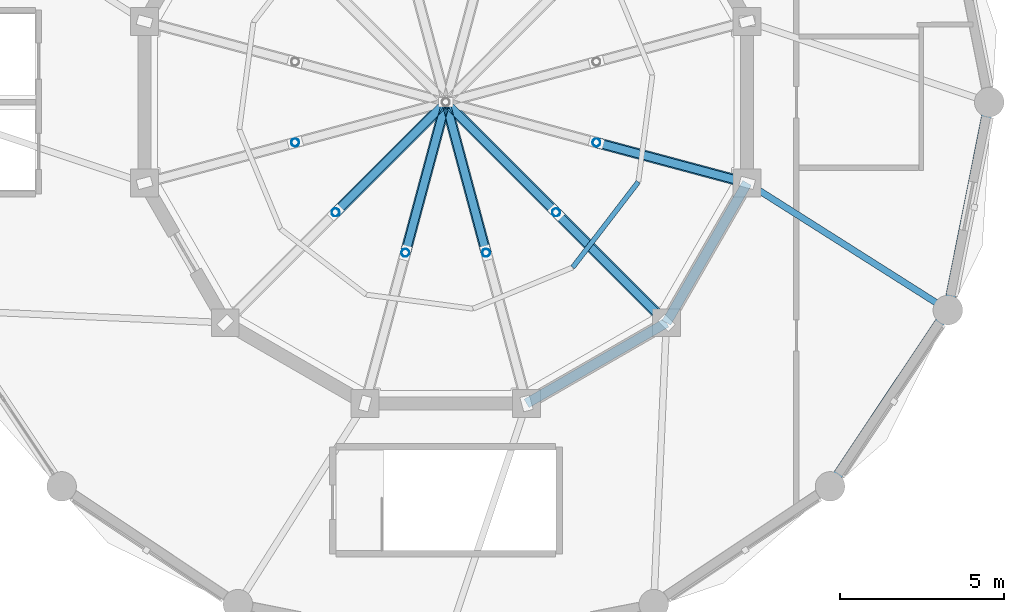
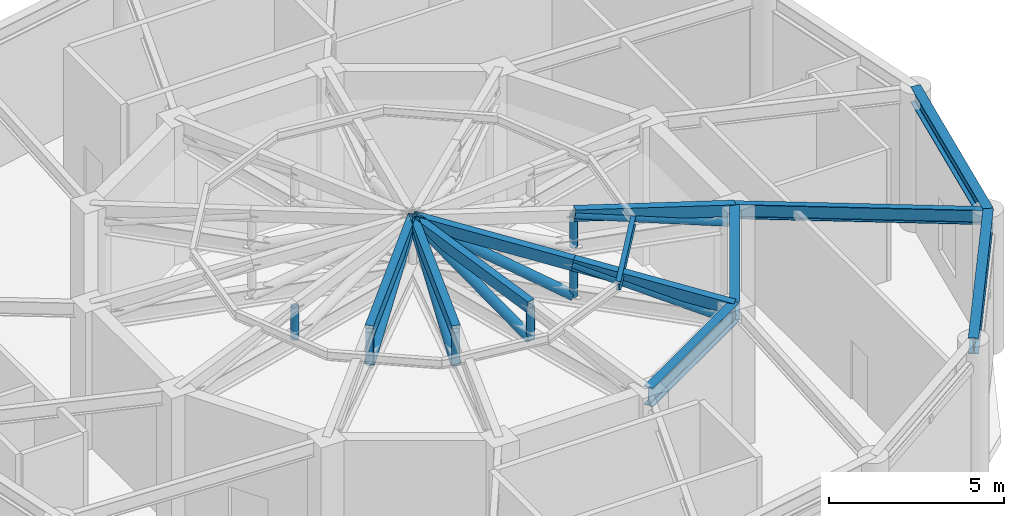
# One storey, part 9 of 26: 19 members, 5 beams.
"""IFC4 building model written with IfcOpenShell, lengths in metres."""

from ifc_helpers import new_model, si_unit, derived_unit, direction, frame, origin, origin_2d, place, context, subcontext, project, spatial, hollow_rectangle, hollow_circle, i_section, extrude, source, transform, mapped, material, material_profile, profile_set, type_object, element, save


model = new_model("IFC4")

# Units and contexts
model_context = context("Model", 3, precision=1e-05, world=origin(), true_north=direction((0.0, 1.0)))
body_context = subcontext(model_context, "Body", "Model", "MODEL_VIEW")
ifc_project = project(units=[si_unit("LENGTHUNIT", "METRE"), si_unit("AREAUNIT", "SQUARE_METRE"), si_unit("VOLUMEUNIT", "CUBIC_METRE"), si_unit("PLANEANGLEUNIT", "RADIAN"), si_unit("MASSUNIT", "GRAM", prefix="KILO"), derived_unit("THERMALTRANSMITTANCEUNIT", [(si_unit("POWERUNIT", "WATT"), 1), (si_unit("LENGTHUNIT", "METRE"), -2), (si_unit("THERMODYNAMICTEMPERATUREUNIT", "KELVIN"), -1)])], contexts=[model_context])

# Site, building, storey
site_placement = place(None, origin())
site = spatial("IfcSite", under=ifc_project, at=site_placement, CompositionType="ELEMENT")
building_placement = place(site_placement, origin())
building = spatial("IfcBuilding", under=site, at=building_placement, Name="Korsvarv Bourse and Concert Hall", CompositionType="ELEMENT")
storey_placement = place(building_placement, frame((0.0, 0.0, 19.199951171875)))
storey = spatial("IfcBuildingStorey", under=building, at=storey_placement, Name="L04", CompositionType="ELEMENT", Elevation=19.199951171875)

# Beams
ifc_material = material(Name="Steel S355", Category="steel")
ifc_material_profile_1 = material_profile(ifc_material, i_section(OverallWidth=0.300048828125, OverallDepth=0.550048828125, WebThickness=0.014892578125, FlangeThickness=0.029052734375, FilletRadius=0.02392578125, at=origin_2d()), Name="HEB 550")
ifc_profile_set_1 = profile_set([ifc_material_profile_1], Name="Steel S355")
beam_type_1 = type_object("IfcBeamType", Name="BM-HEB550", PredefinedType="BEAM", material=ifc_profile_set_1)
shared_shape_1 = source(origin(), body_context, "Body", "SweptSolid", [
    extrude(i_section(OverallWidth=0.300048828125, OverallDepth=0.550048828125, WebThickness=0.014892578125, FlangeThickness=0.029052734375, FilletRadius=0.02392578125, at=origin_2d()), origin(), (0.0, 0.0, 1.0), 6.45751953125),
])
beam_1_placement = place(storey_placement, frame((122.090087890625, 29.66650390625, 4.525146484375), z_axis=(0.195119974887, 0.980779381615, 0.0), x_axis=(-0.980779381615, 0.195119974887, 0.0)))
element("IfcBeam", 1, at=beam_1_placement, inside=storey, type_object=beam_type_1, Name="L04 beam B-06", PredefinedType="BEAM", context=body_context, shape_type="MappedRepresentation", body=[
    mapped(shared_shape_1, transform((0.0, 0.0, 0.0), scale=1.0)),
])
shared_shape_2 = source(origin(), body_context, "Body", "SweptSolid", [
    extrude(i_section(OverallWidth=0.300048828125, OverallDepth=0.550048828125, WebThickness=0.014892578125, FlangeThickness=0.029052734375, FilletRadius=0.02392578125, at=origin_2d()), origin(), (0.0, 0.0, 1.0), 6.457275390625),
])
beam_2_placement = place(storey_placement, frame((118.502685546875, 24.29736328125, 4.525146484375), z_axis=(0.555554952257, 0.831479822379, 0.0), x_axis=(-0.831479822379, 0.555554952257, 0.0)))
element("IfcBeam", 2, at=beam_2_placement, inside=storey, type_object=beam_type_1, Name="L04 beam B-06", PredefinedType="BEAM", context=body_context, shape_type="MappedRepresentation", body=[
    mapped(shared_shape_2, transform((0.0, 0.0, 0.0), scale=1.0)),
])
ifc_material_profile_2 = material_profile(ifc_material, i_section(OverallWidth=0.300048828125, OverallDepth=0.64990234375, WebThickness=0.01611328125, FlangeThickness=0.031005859375, FilletRadius=0.027099609375, at=origin_2d()), Name="HEB 650")
ifc_profile_set_2 = profile_set([ifc_material_profile_2], Name="Steel S355")
beam_type_2 = type_object("IfcBeamType", Name="BM-HEB650", PredefinedType="BEAM", material=ifc_profile_set_2)
shared_shape_3 = source(origin(), body_context, "Body", "SweptSolid", [
    extrude(i_section(OverallWidth=0.300048828125, OverallDepth=0.64990234375, WebThickness=0.01611328125, FlangeThickness=0.031005859375, FilletRadius=0.027099609375, at=origin_2d()), origin(), (0.0, 0.0, 1.0), 4.91748046875),
])
for number, where, z_axis, x_axis, name in (
    (3, (109.2587890625, 26.82373046875, 4.47509765625), (0.866031812033, 0.499988900423, 0.0), (-0.499988900423, 0.866031812033, 0.0), "L04 beam B-04"),
    (4, (113.517578125, 29.282470703125, 4.47509765625), (0.499988900423, 0.866031812033, 0.0), (-0.866031812033, 0.499988900423, 0.0), "L04 beam B-04"),
):
    element("IfcBeam", number, at=place(storey_placement, frame(where, z_axis=z_axis, x_axis=x_axis)), inside=storey, type_object=beam_type_2, Name=name, PredefinedType="BEAM", context=body_context, shape_type="MappedRepresentation", body=[
        mapped(shared_shape_3, transform((0.0, 0.0, 0.0), scale=1.0)),
    ])
ifc_material_profile_3 = material_profile(ifc_material, i_section(OverallWidth=0.199951171875, OverallDepth=0.5, WebThickness=0.01025390625, FlangeThickness=0.01611328125, FilletRadius=0.02099609375, at=origin_2d()), Name="IPE 500")
ifc_profile_set_3 = profile_set([ifc_material_profile_3], Name="Steel S355")
beam_type_3 = type_object("IfcBeamType", Name="BM-IPE500", PredefinedType="JOIST", material=ifc_profile_set_3)
shared_shape_4 = source(origin(), body_context, "Body", "SweptSolid", [
    extrude(i_section(OverallWidth=0.199951171875, OverallDepth=0.5, WebThickness=0.01025390625, FlangeThickness=0.01611328125, FilletRadius=0.02099609375, at=origin_2d()), origin(), (0.0, 0.0, 1.0), 7.23828125),
])
beam_3_placement = place(storey_placement, frame((115.976318359375, 33.541259765625, 4.550048828125), z_axis=(0.844650306569, -0.5353184656, 0.0), x_axis=(0.5353184656, 0.844650306569, 0.0)))
element("IfcBeam", 5, at=beam_3_placement, inside=storey, type_object=beam_type_3, Name="L04 beam J-03", PredefinedType="JOIST", context=body_context, shape_type="MappedRepresentation", body=[
    mapped(shared_shape_4, transform((0.0, 0.0, 0.0), scale=1.0)),
])

# Members
ifc_material_profile_4 = material_profile(ifc_material, hollow_rectangle(XDim=0.25, YDim=0.39990234375, WallThickness=0.01611328125, at=origin_2d()), Name="RHS 400x250x16")
ifc_profile_set_4 = profile_set([ifc_material_profile_4], Name="Steel S355")
member_type_1 = type_object("IfcMemberType", Name="MEM-RHS400", PredefinedType="CHORD", material=ifc_profile_set_4)
shared_shape_5 = source(origin(), body_context, "Body", "SweptSolid", [
    extrude(hollow_rectangle(XDim=0.25, YDim=0.39990234375, WallThickness=0.01611328125, at=origin_2d()), origin(), (0.0, 0.0, 1.0), 4.79833984375),
])
for number, where, z_axis, x_axis, name in (
    (6, (106.800048828125, 36.0, 5.9599609375), (-0.256227967806, -0.95617398709, -0.141698747089), (0.965920290174, -0.25883970528, 0.0), "Concert Hall Roof Truss 3 Top Chord 3"),
    (7, (106.800048828125, 36.0, 5.9599609375), (0.256180427978, -0.95618645144, -0.141700594224), (0.965933139576, 0.258791750001, 0.0), "Concert Hall Roof Truss 4 Top Chord 3"),
    (8, (106.800048828125, 36.0, 5.9599609375), (0.699946501263, -0.699997380561, -0.141698844662), (0.707132479676, 0.707081081763, 0.0), "Concert Hall Roof Truss 5 Top Chord 3"),
    (9, (110.15869140625, 32.64111328125, 5.280029296875), (0.699997380561, -0.699946501263, -0.141698844662), (0.707081081763, 0.707132479676, 0.0), "Concert Hall Roof Truss 5 Top Chord 4"),
    (10, (111.38818359375, 34.7705078125, 5.280029296875), (0.95618645144, -0.256180427978, -0.141700594224), (0.258791750001, 0.965933139576, 0.0), "Concert Hall Roof Truss 6 Top Chord 4"),
):
    element("IfcMember", number, at=place(storey_placement, frame(where, z_axis=z_axis, x_axis=x_axis)), inside=storey, type_object=member_type_1, Name=name, PredefinedType="CHORD", context=body_context, shape_type="MappedRepresentation", body=[
        mapped(shared_shape_5, transform((0.0, 0.0, 0.0), scale=1.0)),
    ])
ifc_material_profile_5 = material_profile(ifc_material, hollow_circle(Radius=0.161865234375, WallThickness=0.012451171875, at=origin_2d()), Name="CHS 323.9x12.5")
ifc_profile_set_5 = profile_set([ifc_material_profile_5], Name="Steel S355")
member_type_2 = type_object("IfcMemberType", Name="MEM-CHS324", PredefinedType="BRACE", material=ifc_profile_set_5)
shared_shape_6 = source(origin(), body_context, "Body", "SweptSolid", [
    extrude(hollow_circle(Radius=0.161865234375, WallThickness=0.012451171875, at=origin_2d()), origin(), (0.0, 0.0, 1.0), 4.882568359375),
])
for number, where, z_axis, x_axis, name in (
    (11, (113.517578125, 29.282470703125, 4.150146484375), (-0.687937840202, 0.687887837451, 0.231412728918), (-0.707081081763, -0.707132479676, 0.0), "Concert Hall Roof Truss 5 Web Diagonal 4"),
    (12, (115.976318359375, 33.541259765625, 4.150146484375), (-0.93971289474, 0.25176685069, 0.231415488578), (-0.258791750001, -0.965933139576, 0.0), "Concert Hall Roof Truss 6 Web Diagonal 4"),
):
    element("IfcMember", number, at=place(storey_placement, frame(where, z_axis=z_axis, x_axis=x_axis)), inside=storey, type_object=member_type_2, Name=name, PredefinedType="BRACE", context=body_context, shape_type="MappedRepresentation", body=[
        mapped(shared_shape_6, transform((0.0, 0.0, 0.0), scale=1.0)),
    ])
shared_shape_7 = source(origin(), body_context, "Body", "SweptSolid", [
    extrude(hollow_circle(Radius=0.161865234375, WallThickness=0.012451171875, at=origin_2d()), origin(), (0.0, 0.0, 1.0), 5.0830078125),
])
for number, where, z_axis, x_axis, name in (
    (13, (105.570556640625, 31.411865234375, 4.150146484375), (0.241877695441, 0.902622623198, 0.356044351927), (-0.965920290174, 0.25883970528, 0.0), "Concert Hall Roof Truss 3 Web Diagonal 3"),
    (14, (108.029296875, 31.411865234375, 4.150146484375), (-0.241832474899, 0.902633108395, 0.356048487869), (-0.965933139576, -0.258791750001, 0.0), "Concert Hall Roof Truss 4 Web Diagonal 3"),
    (15, (110.15869140625, 32.64111328125, 4.150146484375), (-0.660745333206, 0.66079336296, 0.356044570404), (-0.707132479676, -0.707081081763, 0.0), "Concert Hall Roof Truss 5 Web Diagonal 3"),
):
    element("IfcMember", number, at=place(storey_placement, frame(where, z_axis=z_axis, x_axis=x_axis)), inside=storey, type_object=member_type_2, Name=name, PredefinedType="BRACE", context=body_context, shape_type="MappedRepresentation", body=[
        mapped(shared_shape_7, transform((0.0, 0.0, 0.0), scale=1.0)),
    ])
ifc_material_profile_6 = material_profile(ifc_material, hollow_circle(Radius=0.122314453125, WallThickness=0.010009765625, at=origin_2d()), Name="CHS 244.5x10")
ifc_profile_set_6 = profile_set([ifc_material_profile_6], Name="Steel S355")
member_type_3 = type_object("IfcMemberType", Name="MEM-CHS245", PredefinedType="STRUT", material=ifc_profile_set_6)
shared_shape_8 = source(origin(), body_context, "Body", "SweptSolid", [
    extrude(hollow_circle(Radius=0.122314453125, WallThickness=0.010009765625, at=origin_2d()), origin(), (0.0, 0.0, 1.0), 1.1298828125),
])
for number, where, z_axis, x_axis, name in (
    (16, (102.2119140625, 34.7705078125, 4.150146484375), (0.0, 0.0, 1.0), (1.0, 0.0, 0.0), "Concert Hall Roof Truss 1 Vertical Strut 3"),
    (17, (103.441162109375, 32.64111328125, 4.150146484375), (0.0, 0.0, 1.0), (1.0, 0.0, 0.0), "Concert Hall Roof Truss 2 Vertical Strut 3"),
    (18, (105.570556640625, 31.411865234375, 4.150146484375), (0.0, 0.0, 1.0), (1.0, 0.0, 0.0), "Concert Hall Roof Truss 3 Vertical Strut 3"),
    (19, (108.029296875, 31.411865234375, 4.150146484375), (0.0, 0.0, 1.0), (1.0, 0.0, 0.0), "Concert Hall Roof Truss 4 Vertical Strut 3"),
    (20, (110.15869140625, 32.64111328125, 4.150146484375), (0.0, 0.0, 1.0), (1.0, 0.0, 0.0), "Concert Hall Roof Truss 5 Vertical Strut 3"),
    (21, (111.38818359375, 34.7705078125, 4.150146484375), (0.0, 0.0, 1.0), (1.0, 0.0, 0.0), "Concert Hall Roof Truss 6 Vertical Strut 3"),
):
    element("IfcMember", number, at=place(storey_placement, frame(where, z_axis=z_axis, x_axis=x_axis)), inside=storey, type_object=member_type_3, Name=name, PredefinedType="STRUT", context=body_context, shape_type="MappedRepresentation", body=[
        mapped(shared_shape_8, transform((0.0, 0.0, 0.0), scale=1.0)),
    ])
shared_shape_9 = source(origin(), body_context, "Body", "SweptSolid", [
    extrude(hollow_rectangle(XDim=0.25, YDim=0.39990234375, WallThickness=0.01611328125, at=origin_2d()), origin(), (0.0, 0.0, 1.0), 4.798583984375),
])
member_1_placement = place(storey_placement, frame((106.800048828125, 36.0, 5.9599609375), z_axis=(-0.699972452129, -0.699972452129, -0.141693798458), x_axis=(0.707106781187, -0.707106781187, 0.0)))
element("IfcMember", 22, at=member_1_placement, inside=storey, type_object=member_type_1, Name="Concert Hall Roof Truss 2 Top Chord 3", PredefinedType="CHORD", context=body_context, shape_type="MappedRepresentation", body=[
    mapped(shared_shape_9, transform((0.0, 0.0, 0.0), scale=1.0)),
])
shared_shape_10 = source(origin(), body_context, "Body", "SweptSolid", [
    extrude(hollow_circle(Radius=0.161865234375, WallThickness=0.012451171875, at=origin_2d()), origin(), (0.0, 0.0, 1.0), 5.083251953125),
])
member_2_placement = place(storey_placement, frame((103.441162109375, 32.64111328125, 4.150146484375), z_axis=(0.660772392631, 0.660772392631, 0.356033271302), x_axis=(-0.707106781187, 0.707106781187, 0.0)))
element("IfcMember", 23, at=member_2_placement, inside=storey, type_object=member_type_2, Name="Concert Hall Roof Truss 2 Web Diagonal 3", PredefinedType="BRACE", context=body_context, shape_type="MappedRepresentation", body=[
    mapped(shared_shape_10, transform((0.0, 0.0, 0.0), scale=1.0)),
])
ifc_material_profile_7 = material_profile(ifc_material, i_section(OverallWidth=0.14990234375, OverallDepth=0.300048828125, WebThickness=0.007080078125, FlangeThickness=0.0107421875, FilletRadius=0.014892578125, at=origin_2d()), Name="IPE 300")
ifc_profile_set_7 = profile_set([ifc_material_profile_7], Name="Steel S355")
member_type_4 = type_object("IfcMemberType", Name="MEM-PUR300", PredefinedType="PURLIN", material=ifc_profile_set_7)
shared_shape_11 = source(origin(), body_context, "Body", "SweptSolid", [
    extrude(i_section(OverallWidth=0.14990234375, OverallDepth=0.300048828125, WebThickness=0.007080078125, FlangeThickness=0.0107421875, FilletRadius=0.014892578125, at=origin_2d()), origin(), (0.0, 0.0, 1.0), 3.2841796875),
])
member_3_placement = place(storey_placement, frame((110.662353515625, 30.966552734375, 5.330078125), z_axis=(0.608765470916, 0.79335023881, 0.0), x_axis=(-0.79335023881, 0.608765470916, 0.0)))
element("IfcMember", 24, at=member_3_placement, inside=storey, type_object=member_type_4, Name="Concert Hall Auditorium Roof Purlin 11", PredefinedType="PURLIN", context=body_context, shape_type="MappedRepresentation", body=[
    mapped(shared_shape_11, transform((0.0, 0.0, 0.0), scale=1.0)),
])

save(model, "model.ifc")
